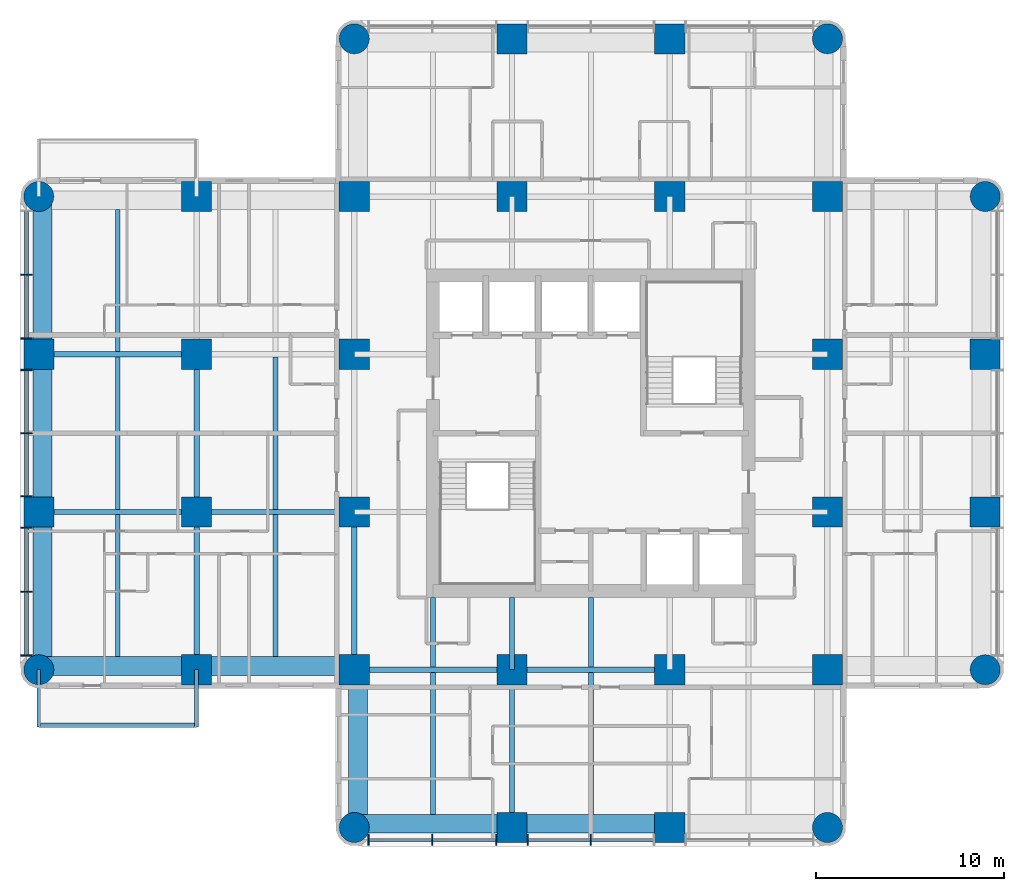
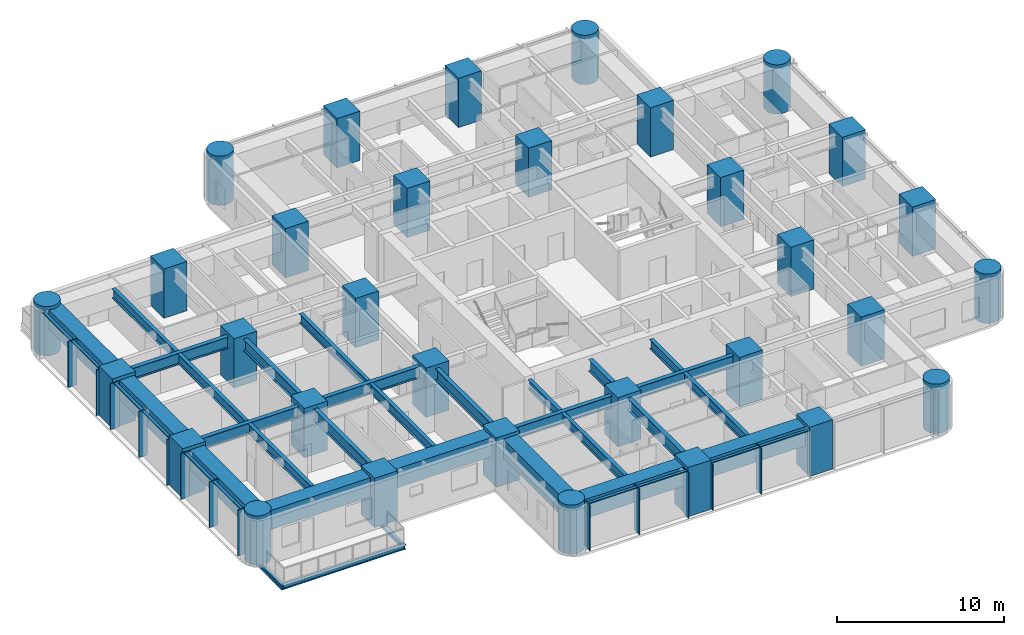
# One storey, part 1 of 11: 32 columns, 30 beams, 23 members, 2 elements without a shape of their own.
"""IFC4 building model written with IfcOpenShell, lengths in metres."""

from ifc_helpers import new_model, si_unit, direction, frame, origin, origin_2d, place, context, subcontext, project, spatial, rectangle, circle, i_section, extrude, material, material_profile, profile_set, type_object, element, aggregate, save


model = new_model("IFC4")

# Units and contexts
model_context = context("Model", 3, precision=1e-05, world=origin(), true_north=direction((0.0, 1.0)))
body_context = subcontext(model_context, "Body", "Model", "MODEL_VIEW")
ifc_project = project(units=[si_unit("LENGTHUNIT", "METRE"), si_unit("AREAUNIT", "SQUARE_METRE"), si_unit("VOLUMEUNIT", "CUBIC_METRE"), si_unit("PLANEANGLEUNIT", "RADIAN"), si_unit("MASSUNIT", "GRAM", prefix="KILO")], contexts=[model_context])

# Site, building, storey
site_placement = place(None, origin())
site = spatial("IfcSite", under=ifc_project, at=site_placement, CompositionType="ELEMENT")
building_placement = place(site_placement, origin())
building = spatial("IfcBuilding", under=site, at=building_placement, Name="Torre Alcanfor", CompositionType="ELEMENT")
storey_placement = place(building_placement, frame((0.0, 0.0, 244.5)))
storey = spatial("IfcBuildingStorey", under=building, at=storey_placement, Name="L64", CompositionType="ELEMENT", Elevation=244.5)

# Columns
ifc_material_1 = material(Name="Concrete f'c 70 MPa", Category="concrete")
ifc_material_profile_1 = material_profile(ifc_material_1, rectangle(XDim=1.60009765625, YDim=1.60009765625, at=origin_2d()), Name="1600x1600")
ifc_profile_set_1 = profile_set([ifc_material_profile_1], Name="Concrete f'c 70 MPa")
column_type_1 = type_object("IfcColumnType", Name="RC column 1600x1600 f'c70", PredefinedType="COLUMN", material=ifc_profile_set_1)
for number, where, z_axis, x_axis, name in (
    (1, (0.0, 25.199951171875, 0.0), (0.0, 0.0, 1.0), (1.0, 0.0, 0.0), "Column 1/F L64"),
    (2, (0.0, 33.60009765625, 0.0), (0.0, 0.0, 1.0), (1.0, 0.0, 0.0), "Column 1/G L64"),
    (3, (8.39990234375, 16.800048828125, 0.0), (0.0, 0.0, 1.0), (1.0, 0.0, 0.0), "Column 2/E L64"),
    (4, (8.39990234375, 25.199951171875, 0.0), (0.0, 0.0, 1.0), (1.0, 0.0, 0.0), "Column 2/F L64"),
    (5, (8.39990234375, 33.60009765625, 0.0), (0.0, 0.0, 1.0), (1.0, 0.0, 0.0), "Column 2/G L64"),
    (6, (8.39990234375, 42.0, 0.0), (0.0, 0.0, 1.0), (1.0, 0.0, 0.0), "Column 2/H L64"),
    (7, (16.800048828125, 16.800048828125, 0.0), (0.0, 0.0, 1.0), (1.0, 0.0, 0.0), "Column 3/E L64"),
    (8, (16.800048828125, 25.199951171875, 0.0), (0.0, 0.0, 1.0), (1.0, 0.0, 0.0), "Column 3/F L64"),
    (9, (16.800048828125, 33.60009765625, 0.0), (0.0, 0.0, 1.0), (1.0, 0.0, 0.0), "Column 3/G L64"),
    (10, (16.800048828125, 42.0, 0.0), (0.0, 0.0, 1.0), (1.0, 0.0, 0.0), "Column 3/H L64"),
    (11, (25.199951171875, 8.39990234375, 0.0), (0.0, 0.0, 1.0), (1.0, 0.0, 0.0), "Column 4/D L64"),
    (12, (25.199951171875, 16.800048828125, 0.0), (0.0, 0.0, 1.0), (1.0, 0.0, 0.0), "Column 4/E L64"),
    (13, (25.199951171875, 42.0, 0.0), (0.0, 0.0, 1.0), (1.0, 0.0, 0.0), "Column 4/H L64"),
    (14, (25.199951171875, 50.39990234375, 0.0), (0.0, 0.0, 1.0), (1.0, 0.0, 0.0), "Column 4/J L64"),
    (15, (33.60009765625, 8.39990234375, 0.0), (0.0, 0.0, 1.0), (1.0, 0.0, 0.0), "Column 5/D L64"),
    (16, (33.60009765625, 16.800048828125, 0.0), (0.0, 0.0, 1.0), (1.0, 0.0, 0.0), "Column 5/E L64"),
    (17, (33.60009765625, 42.0, 0.0), (0.0, 0.0, 1.0), (1.0, 0.0, 0.0), "Column 5/H L64"),
    (18, (33.60009765625, 50.39990234375, 0.0), (0.0, 0.0, 1.0), (1.0, 0.0, 0.0), "Column 5/J L64"),
    (19, (42.0, 16.800048828125, 0.0), (0.0, 0.0, 1.0), (1.0, 0.0, 0.0), "Column 6/E L64"),
    (20, (42.0, 25.199951171875, 0.0), (0.0, 0.0, 1.0), (1.0, 0.0, 0.0), "Column 6/F L64"),
    (21, (42.0, 33.60009765625, 0.0), (0.0, 0.0, 1.0), (1.0, 0.0, 0.0), "Column 6/G L64"),
    (22, (42.0, 42.0, 0.0), (0.0, 0.0, 1.0), (1.0, 0.0, 0.0), "Column 6/H L64"),
    (23, (50.39990234375, 25.199951171875, 0.0), (0.0, 0.0, 1.0), (1.0, 0.0, 0.0), "Column 7/F L64"),
    (24, (50.39990234375, 33.60009765625, 0.0), (0.0, 0.0, 1.0), (1.0, 0.0, 0.0), "Column 7/G L64"),
):
    element("IfcColumn", number, at=place(storey_placement, frame(where, z_axis=z_axis, x_axis=x_axis)), inside=storey, type_object=column_type_1, Name=name, PredefinedType="COLUMN", context=body_context, shape_type="SweptSolid", body=[
        extrude(rectangle(XDim=1.60009765625, YDim=1.60009765625, at=origin_2d()), origin(), (0.0, 0.0, 1.0), 3.60009765625),
    ])
ifc_material_2 = material(Name="Concrete f'c 70 MPa", Category="concrete")
ifc_material_profile_2 = material_profile(ifc_material_2, circle(Radius=0.800048828125, at=origin_2d()), Name="D1600")
ifc_profile_set_2 = profile_set([ifc_material_profile_2], Name="Concrete f'c 70 MPa")
column_type_2 = type_object("IfcColumnType", Name="RC column D1600 f'c70", PredefinedType="COLUMN", material=ifc_profile_set_2)
for number, where, z_axis, x_axis, name in (
    (25, (0.0, 16.800048828125, 0.0), (0.0, 0.0, 1.0), (1.0, 0.0, 0.0), "Column 1/E L64"),
    (26, (0.0, 42.0, 0.0), (0.0, 0.0, 1.0), (1.0, 0.0, 0.0), "Column 1/H L64"),
    (27, (16.800048828125, 8.39990234375, 0.0), (0.0, 0.0, 1.0), (1.0, 0.0, 0.0), "Column 3/D L64"),
    (28, (16.800048828125, 50.39990234375, 0.0), (0.0, 0.0, 1.0), (1.0, 0.0, 0.0), "Column 3/J L64"),
    (29, (42.0, 8.39990234375, 0.0), (0.0, 0.0, 1.0), (1.0, 0.0, 0.0), "Column 6/D L64"),
    (30, (42.0, 50.39990234375, 0.0), (0.0, 0.0, 1.0), (1.0, 0.0, 0.0), "Column 6/J L64"),
    (31, (50.39990234375, 16.800048828125, 0.0), (0.0, 0.0, 1.0), (1.0, 0.0, 0.0), "Column 7/E L64"),
    (32, (50.39990234375, 42.0, 0.0), (0.0, 0.0, 1.0), (1.0, 0.0, 0.0), "Column 7/H L64"),
):
    element("IfcColumn", number, at=place(storey_placement, frame(where, z_axis=z_axis, x_axis=x_axis)), inside=storey, type_object=column_type_2, Name=name, PredefinedType="COLUMN", context=body_context, shape_type="SweptSolid", body=[
        extrude(circle(Radius=0.800048828125, at=origin_2d()), origin(), (0.0, 0.0, 1.0), 3.60009765625),
    ])

# Beams
ifc_material_3 = material(Name="Steel ASTM A992 Grade 50", Category="steel")
ifc_material_profile_3 = material_profile(ifc_material_3, i_section(OverallWidth=0.205322265625, OverallDepth=0.309814453125, WebThickness=0.00927734375, FlangeThickness=0.016357421875, at=origin_2d()), Name="W12x50")
ifc_profile_set_3 = profile_set([ifc_material_profile_3], Name="Steel ASTM A992 Grade 50")
beam_type_1 = type_object("IfcBeamType", Name="Balcony cantilever beam W12x50", PredefinedType="BEAM", material=ifc_profile_set_3)
for number, where, z_axis, x_axis, name in (
    (33, (8.39990234375, 16.800048828125, -0.35498046875), (0.0, -1.0, 0.0), (1.0, 0.0, 0.0), "Balcony cantilever beam L64-W1 1"),
    (34, (0.0, 16.800048828125, -0.35498046875), (0.0, -1.0, 0.0), (1.0, 0.0, 0.0), "Balcony cantilever beam L64-W1 2"),
):
    element("IfcBeam", number, at=place(storey_placement, frame(where, z_axis=z_axis, x_axis=x_axis)), inside=storey, type_object=beam_type_1, Name=name, PredefinedType="BEAM", context=body_context, shape_type="SweptSolid", body=[
        extrude(i_section(OverallWidth=0.205322265625, OverallDepth=0.309814453125, WebThickness=0.00927734375, FlangeThickness=0.016357421875, at=origin_2d()), origin(), (0.0, 0.0, 1.0), 3.050048828125),
    ])
ifc_material_4 = material(Name="Steel ASTM A992 Grade 50", Category="steel")
ifc_material_profile_4 = material_profile(ifc_material_4, i_section(OverallWidth=0.203369140625, OverallDepth=0.30224609375, WebThickness=0.007568359375, FlangeThickness=0.01318359375, at=origin_2d()), Name="W12x40")
ifc_profile_set_4 = profile_set([ifc_material_profile_4], Name="Steel ASTM A992 Grade 50")
beam_type_2 = type_object("IfcBeamType", Name="Balcony edge trimmer W12x40", PredefinedType="BEAM", material=ifc_profile_set_4)
beam_1_placement = place(storey_placement, frame((8.39990234375, 13.851806640625, -0.35107421875), z_axis=(-1.0, 0.0, 0.0), x_axis=(0.0, -1.0, 0.0)))
element("IfcBeam", 35, at=beam_1_placement, inside=storey, type_object=beam_type_2, Name="Balcony edge trimmer L64-W1", PredefinedType="BEAM", context=body_context, shape_type="SweptSolid", body=[
    extrude(i_section(OverallWidth=0.203369140625, OverallDepth=0.30224609375, WebThickness=0.007568359375, FlangeThickness=0.01318359375, at=origin_2d()), origin(), (0.0, 0.0, 1.0), 8.39990234375),
])

# Curtain wall, members
ifc_material_5 = material(Name="Aluminium and glass", Category="aluminium")
curtain_wall_type = type_object("IfcCurtainWallType", Name="CW-A unitised apartment glazing with vertical FIN", PredefinedType="NOTDEFINED", material=ifc_material_5)
curtain_wall_1_placement = place(storey_placement, origin())
curtain_wall_1 = element("IfcCurtainWall", 36, at=curtain_wall_1_placement, inside=storey, type_object=curtain_wall_type, Name="Curtain wall CW-A L64 2", PredefinedType="NOTDEFINED")
ifc_material_6 = material(Name="Bronze anodised aluminium", Category="aluminium")
ifc_material_profile_5 = material_profile(ifc_material_6, rectangle(XDim=0.60009765625, YDim=0.06494140625, at=origin_2d()), Name="CW-A mullion 65x600")
ifc_profile_set_5 = profile_set([ifc_material_profile_5], Name="Bronze anodised aluminium")
member_type_1 = type_object("IfcMemberType", Name="CW-A mullion with vertical FIN 65x600", PredefinedType="MULLION", material=ifc_profile_set_5)
member_1_placement = place(storey_placement, frame((-0.64990234375, 37.840087890625, 0.0), z_axis=(0.0, 0.0, 1.0), x_axis=(1.0, 0.0, 0.0)))
member_1 = element("IfcMember", 37, at=member_1_placement, type_object=member_type_1, Name="CW-A mullion 1.2", PredefinedType="MULLION", context=body_context, shape_type="SweptSolid", body=[
    extrude(rectangle(XDim=0.60009765625, YDim=0.06494140625, at=origin_2d()), origin(), (0.0, 0.0, 1.0), 3.35009765625),
])
member_2_placement = place(storey_placement, frame((-0.64990234375, 34.4375, 0.0), z_axis=(0.0, 0.0, 1.0), x_axis=(1.0, 0.0, 0.0)))
member_2 = element("IfcMember", 38, at=member_2_placement, type_object=member_type_1, Name="CW-A mullion 1.3", PredefinedType="MULLION", context=body_context, shape_type="SweptSolid", body=[
    extrude(rectangle(XDim=0.60009765625, YDim=0.06494140625, at=origin_2d()), origin(), (0.0, 0.0, 1.0), 3.35009765625),
])
member_3_placement = place(storey_placement, frame((-0.64990234375, 32.762451171875, 0.0), z_axis=(0.0, 0.0, 1.0), x_axis=(1.0, 0.0, 0.0)))
member_3 = element("IfcMember", 39, at=member_3_placement, type_object=member_type_1, Name="CW-A mullion 2.1", PredefinedType="MULLION", context=body_context, shape_type="SweptSolid", body=[
    extrude(rectangle(XDim=0.60009765625, YDim=0.06494140625, at=origin_2d()), origin(), (0.0, 0.0, 1.0), 3.35009765625),
])
member_4_placement = place(storey_placement, frame((-0.64990234375, 29.39990234375, 0.0), z_axis=(0.0, 0.0, 1.0), x_axis=(1.0, 0.0, 0.0)))
member_4 = element("IfcMember", 40, at=member_4_placement, type_object=member_type_1, Name="CW-A mullion 2.2", PredefinedType="MULLION", context=body_context, shape_type="SweptSolid", body=[
    extrude(rectangle(XDim=0.60009765625, YDim=0.06494140625, at=origin_2d()), origin(), (0.0, 0.0, 1.0), 3.35009765625),
])
member_5_placement = place(storey_placement, frame((-0.64990234375, 26.03759765625, 0.0), z_axis=(0.0, 0.0, 1.0), x_axis=(1.0, 0.0, 0.0)))
member_5 = element("IfcMember", 41, at=member_5_placement, type_object=member_type_1, Name="CW-A mullion 2.3", PredefinedType="MULLION", context=body_context, shape_type="SweptSolid", body=[
    extrude(rectangle(XDim=0.60009765625, YDim=0.06494140625, at=origin_2d()), origin(), (0.0, 0.0, 1.0), 3.35009765625),
])
member_6_placement = place(storey_placement, frame((-0.64990234375, 24.362548828125, 0.0), z_axis=(0.0, 0.0, 1.0), x_axis=(1.0, 0.0, 0.0)))
member_6 = element("IfcMember", 42, at=member_6_placement, type_object=member_type_1, Name="CW-A mullion 3.1", PredefinedType="MULLION", context=body_context, shape_type="SweptSolid", body=[
    extrude(rectangle(XDim=0.60009765625, YDim=0.06494140625, at=origin_2d()), origin(), (0.0, 0.0, 1.0), 3.35009765625),
])
member_7_placement = place(storey_placement, frame((-0.64990234375, 20.9599609375, 0.0), z_axis=(0.0, 0.0, 1.0), x_axis=(1.0, 0.0, 0.0)))
member_7 = element("IfcMember", 43, at=member_7_placement, type_object=member_type_1, Name="CW-A mullion 3.2", PredefinedType="MULLION", context=body_context, shape_type="SweptSolid", body=[
    extrude(rectangle(XDim=0.60009765625, YDim=0.06494140625, at=origin_2d()), origin(), (0.0, 0.0, 1.0), 3.35009765625),
])
member_8_placement = place(storey_placement, frame((-0.64990234375, 17.557373046875, 0.0), z_axis=(0.0, 0.0, 1.0), x_axis=(1.0, 0.0, 0.0)))
member_8 = element("IfcMember", 44, at=member_8_placement, type_object=member_type_1, Name="CW-A mullion 3.3", PredefinedType="MULLION", context=body_context, shape_type="SweptSolid", body=[
    extrude(rectangle(XDim=0.60009765625, YDim=0.06494140625, at=origin_2d()), origin(), (0.0, 0.0, 1.0), 3.35009765625),
])

curtain_wall_2_placement = place(storey_placement, origin())
curtain_wall_2 = element("IfcCurtainWall", 45, at=curtain_wall_2_placement, inside=storey, type_object=curtain_wall_type, Name="Curtain wall CW-A L64 5", PredefinedType="NOTDEFINED")
member_9_placement = place(storey_placement, frame((17.557373046875, 7.75, 0.0), z_axis=(0.0, 0.0, 1.0), x_axis=(0.0, 1.0, 0.0)))
member_9 = element("IfcMember", 46, at=member_9_placement, type_object=member_type_1, Name="CW-A mullion 1.1", PredefinedType="MULLION", context=body_context, shape_type="SweptSolid", body=[
    extrude(rectangle(XDim=0.60009765625, YDim=0.06494140625, at=origin_2d()), origin(), (0.0, 0.0, 1.0), 3.35009765625),
])
member_10_placement = place(storey_placement, frame((20.9599609375, 7.75, 0.0), z_axis=(0.0, 0.0, 1.0), x_axis=(0.0, 1.0, 0.0)))
member_10 = element("IfcMember", 47, at=member_10_placement, type_object=member_type_1, Name="CW-A mullion 1.2", PredefinedType="MULLION", context=body_context, shape_type="SweptSolid", body=[
    extrude(rectangle(XDim=0.60009765625, YDim=0.06494140625, at=origin_2d()), origin(), (0.0, 0.0, 1.0), 3.35009765625),
])
member_11_placement = place(storey_placement, frame((24.362548828125, 7.75, 0.0), z_axis=(0.0, 0.0, 1.0), x_axis=(0.0, 1.0, 0.0)))
member_11 = element("IfcMember", 48, at=member_11_placement, type_object=member_type_1, Name="CW-A mullion 1.3", PredefinedType="MULLION", context=body_context, shape_type="SweptSolid", body=[
    extrude(rectangle(XDim=0.60009765625, YDim=0.06494140625, at=origin_2d()), origin(), (0.0, 0.0, 1.0), 3.35009765625),
])
member_12_placement = place(storey_placement, frame((26.03759765625, 7.75, 0.0), z_axis=(0.0, 0.0, 1.0), x_axis=(0.0, 1.0, 0.0)))
member_12 = element("IfcMember", 49, at=member_12_placement, type_object=member_type_1, Name="CW-A mullion 2.1", PredefinedType="MULLION", context=body_context, shape_type="SweptSolid", body=[
    extrude(rectangle(XDim=0.60009765625, YDim=0.06494140625, at=origin_2d()), origin(), (0.0, 0.0, 1.0), 3.35009765625),
])
member_13_placement = place(storey_placement, frame((29.39990234375, 7.75, 0.0), z_axis=(0.0, 0.0, 1.0), x_axis=(0.0, 1.0, 0.0)))
member_13 = element("IfcMember", 50, at=member_13_placement, type_object=member_type_1, Name="CW-A mullion 2.2", PredefinedType="MULLION", context=body_context, shape_type="SweptSolid", body=[
    extrude(rectangle(XDim=0.60009765625, YDim=0.06494140625, at=origin_2d()), origin(), (0.0, 0.0, 1.0), 3.35009765625),
])

# Member
ifc_material_7 = material(Name="Extruded aluminium", Category="aluminium")
ifc_material_profile_6 = material_profile(ifc_material_7, rectangle(XDim=0.199951171875, YDim=0.06494140625, at=origin_2d()), Name="CW-A transom 200x65")
ifc_profile_set_6 = profile_set([ifc_material_profile_6], Name="Extruded aluminium")
member_type_2 = type_object("IfcMemberType", Name="CW-A transom 65x200", PredefinedType="USERDEFINED", material=ifc_profile_set_6)
member_14_placement = place(storey_placement, frame((-0.64990234375, 41.210205078125, 3.3173828125), z_axis=(0.0, -1.0, 0.0), x_axis=(1.0, 0.0, 0.0)))
member_14 = element("IfcMember", 51, at=member_14_placement, type_object=member_type_2, Name="CW-A transom 1.1.2", ObjectType="TRANSOM", PredefinedType="USERDEFINED", context=body_context, shape_type="SweptSolid", body=[
    extrude(rectangle(XDim=0.199951171875, YDim=0.06494140625, at=origin_2d()), origin(), (0.0, 0.0, 1.0), 3.337646484375),
])

member_15_placement = place(storey_placement, frame((-0.64990234375, 37.8076171875, 3.3173828125), z_axis=(0.0, -1.0, 0.0), x_axis=(1.0, 0.0, 0.0)))
member_15 = element("IfcMember", 52, at=member_15_placement, type_object=member_type_2, Name="CW-A transom 1.2.2", ObjectType="TRANSOM", PredefinedType="USERDEFINED", context=body_context, shape_type="SweptSolid", body=[
    extrude(rectangle(XDim=0.199951171875, YDim=0.06494140625, at=origin_2d()), origin(), (0.0, 0.0, 1.0), 3.337646484375),
])

member_16_placement = place(storey_placement, frame((-0.64990234375, 32.72998046875, 3.3173828125), z_axis=(0.0, -1.0, 0.0), x_axis=(1.0, 0.0, 0.0)))
member_16 = element("IfcMember", 53, at=member_16_placement, type_object=member_type_2, Name="CW-A transom 2.1.2", ObjectType="TRANSOM", PredefinedType="USERDEFINED", context=body_context, shape_type="SweptSolid", body=[
    extrude(rectangle(XDim=0.199951171875, YDim=0.06494140625, at=origin_2d()), origin(), (0.0, 0.0, 1.0), 3.29736328125),
])

member_17_placement = place(storey_placement, frame((-0.64990234375, 29.367431640625, 3.3173828125), z_axis=(0.0, -1.0, 0.0), x_axis=(1.0, 0.0, 0.0)))
member_17 = element("IfcMember", 54, at=member_17_placement, type_object=member_type_2, Name="CW-A transom 2.2.2", ObjectType="TRANSOM", PredefinedType="USERDEFINED", context=body_context, shape_type="SweptSolid", body=[
    extrude(rectangle(XDim=0.199951171875, YDim=0.06494140625, at=origin_2d()), origin(), (0.0, 0.0, 1.0), 3.29736328125),
])

member_18_placement = place(storey_placement, frame((-0.64990234375, 24.330078125, 3.3173828125), z_axis=(0.0, -1.0, 0.0), x_axis=(1.0, 0.0, 0.0)))
member_18 = element("IfcMember", 55, at=member_18_placement, type_object=member_type_2, Name="CW-A transom 3.1.2", ObjectType="TRANSOM", PredefinedType="USERDEFINED", context=body_context, shape_type="SweptSolid", body=[
    extrude(rectangle(XDim=0.199951171875, YDim=0.06494140625, at=origin_2d()), origin(), (0.0, 0.0, 1.0), 3.337646484375),
])

member_19_placement = place(storey_placement, frame((-0.64990234375, 20.927490234375, 3.3173828125), z_axis=(0.0, -1.0, 0.0), x_axis=(1.0, 0.0, 0.0)))
member_19 = element("IfcMember", 56, at=member_19_placement, type_object=member_type_2, Name="CW-A transom 3.2.2", ObjectType="TRANSOM", PredefinedType="USERDEFINED", context=body_context, shape_type="SweptSolid", body=[
    extrude(rectangle(XDim=0.199951171875, YDim=0.06494140625, at=origin_2d()), origin(), (0.0, 0.0, 1.0), 3.337646484375),
])

aggregate(curtain_wall_1, [member_1, member_2, member_14, member_15, member_3, member_4, member_5, member_16, member_17, member_6, member_7, member_8, member_18, member_19])

member_20_placement = place(storey_placement, frame((17.58984375, 7.75, 3.3173828125), z_axis=(1.0, 0.0, 0.0), x_axis=(0.0, 1.0, 0.0)))
member_20 = element("IfcMember", 57, at=member_20_placement, type_object=member_type_2, Name="CW-A transom 1.1.2", ObjectType="TRANSOM", PredefinedType="USERDEFINED", context=body_context, shape_type="SweptSolid", body=[
    extrude(rectangle(XDim=0.199951171875, YDim=0.06494140625, at=origin_2d()), origin(), (0.0, 0.0, 1.0), 3.337646484375),
])

member_21_placement = place(storey_placement, frame((20.992431640625, 7.75, 3.3173828125), z_axis=(1.0, 0.0, 0.0), x_axis=(0.0, 1.0, 0.0)))
member_21 = element("IfcMember", 58, at=member_21_placement, type_object=member_type_2, Name="CW-A transom 1.2.2", ObjectType="TRANSOM", PredefinedType="USERDEFINED", context=body_context, shape_type="SweptSolid", body=[
    extrude(rectangle(XDim=0.199951171875, YDim=0.06494140625, at=origin_2d()), origin(), (0.0, 0.0, 1.0), 3.337646484375),
])

member_22_placement = place(storey_placement, frame((26.070068359375, 7.75, 3.3173828125), z_axis=(1.0, 0.0, 0.0), x_axis=(0.0, 1.0, 0.0)))
member_22 = element("IfcMember", 59, at=member_22_placement, type_object=member_type_2, Name="CW-A transom 2.1.2", ObjectType="TRANSOM", PredefinedType="USERDEFINED", context=body_context, shape_type="SweptSolid", body=[
    extrude(rectangle(XDim=0.199951171875, YDim=0.06494140625, at=origin_2d()), origin(), (0.0, 0.0, 1.0), 3.29736328125),
])

member_23_placement = place(storey_placement, frame((29.4326171875, 7.75, 3.3173828125), z_axis=(1.0, 0.0, 0.0), x_axis=(0.0, 1.0, 0.0)))
member_23 = element("IfcMember", 60, at=member_23_placement, type_object=member_type_2, Name="CW-A transom 2.2.2", ObjectType="TRANSOM", PredefinedType="USERDEFINED", context=body_context, shape_type="SweptSolid", body=[
    extrude(rectangle(XDim=0.199951171875, YDim=0.06494140625, at=origin_2d()), origin(), (0.0, 0.0, 1.0), 3.29736328125),
])

aggregate(curtain_wall_2, [member_9, member_10, member_11, member_20, member_21, member_12, member_13, member_22, member_23])

# Beams
ifc_material_8 = material(Name="Steel ASTM A992 Grade 50", Category="steel")
ifc_material_profile_7 = material_profile(ifc_material_8, i_section(OverallWidth=0.2919921875, OverallDepth=0.8408203125, WebThickness=0.0146484375, FlangeThickness=0.021728515625, at=origin_2d()), Name="W33x130")
ifc_profile_set_7 = profile_set([ifc_material_profile_7], Name="Steel ASTM A992 Grade 50")
beam_type_3 = type_object("IfcBeamType", Name="Girder W33x130", PredefinedType="BEAM", material=ifc_profile_set_7)
beam_2_placement = place(storey_placement, frame((16.800048828125, 16.800048828125, 2.9296875), z_axis=(1.0, 0.0, 0.0), x_axis=(0.0, 1.0, 0.0)))
element("IfcBeam", 61, at=beam_2_placement, inside=storey, type_object=beam_type_3, Name="Beam 3E-4E under L65", PredefinedType="BEAM", context=body_context, shape_type="SweptSolid", body=[
    extrude(i_section(OverallWidth=0.2919921875, OverallDepth=0.8408203125, WebThickness=0.0146484375, FlangeThickness=0.021728515625, at=origin_2d()), origin(), (0.0, 0.0, 1.0), 8.39990234375),
])
beam_3_placement = place(storey_placement, frame((25.199951171875, 16.800048828125, 2.9296875), z_axis=(1.0, 0.0, 0.0), x_axis=(0.0, 1.0, 0.0)))
element("IfcBeam", 62, at=beam_3_placement, inside=storey, type_object=beam_type_3, Name="Beam 4E-5E under L65", PredefinedType="BEAM", context=body_context, shape_type="SweptSolid", body=[
    extrude(i_section(OverallWidth=0.2919921875, OverallDepth=0.8408203125, WebThickness=0.0146484375, FlangeThickness=0.021728515625, at=origin_2d()), origin(), (0.0, 0.0, 1.0), 8.400146484375),
])
beam_4_placement = place(storey_placement, frame((0.0, 25.199951171875, 2.9296875), z_axis=(1.0, 0.0, 0.0), x_axis=(0.0, 1.0, 0.0)))
element("IfcBeam", 63, at=beam_4_placement, inside=storey, type_object=beam_type_3, Name="Beam 1F-2F under L65", PredefinedType="BEAM", context=body_context, shape_type="SweptSolid", body=[
    extrude(i_section(OverallWidth=0.2919921875, OverallDepth=0.8408203125, WebThickness=0.0146484375, FlangeThickness=0.021728515625, at=origin_2d()), origin(), (0.0, 0.0, 1.0), 8.39990234375),
])
beam_5_placement = place(storey_placement, frame((8.39990234375, 25.199951171875, 2.9296875), z_axis=(1.0, 0.0, 0.0), x_axis=(0.0, 1.0, 0.0)))
element("IfcBeam", 64, at=beam_5_placement, inside=storey, type_object=beam_type_3, Name="Beam 2F-3F under L65", PredefinedType="BEAM", context=body_context, shape_type="SweptSolid", body=[
    extrude(i_section(OverallWidth=0.2919921875, OverallDepth=0.8408203125, WebThickness=0.0146484375, FlangeThickness=0.021728515625, at=origin_2d()), origin(), (0.0, 0.0, 1.0), 8.400146484375),
])
for number, where, z_axis, x_axis, name in (
    (65, (0.0, 33.60009765625, 2.9296875), (1.0, 0.0, 0.0), (0.0, 1.0, 0.0), "Beam 1G-2G under L65"),
    (66, (8.39990234375, 16.800048828125, 2.9296875), (0.0, 1.0, 0.0), (-1.0, 0.0, 0.0), "Beam 2E-2F under L65"),
):
    element("IfcBeam", number, at=place(storey_placement, frame(where, z_axis=z_axis, x_axis=x_axis)), inside=storey, type_object=beam_type_3, Name=name, PredefinedType="BEAM", context=body_context, shape_type="SweptSolid", body=[
        extrude(i_section(OverallWidth=0.2919921875, OverallDepth=0.8408203125, WebThickness=0.0146484375, FlangeThickness=0.021728515625, at=origin_2d()), origin(), (0.0, 0.0, 1.0), 8.39990234375),
    ])
beam_6_placement = place(storey_placement, frame((8.39990234375, 25.199951171875, 2.9296875), z_axis=(0.0, 1.0, 0.0), x_axis=(-1.0, 0.0, 0.0)))
element("IfcBeam", 67, at=beam_6_placement, inside=storey, type_object=beam_type_3, Name="Beam 2F-2G under L65", PredefinedType="BEAM", context=body_context, shape_type="SweptSolid", body=[
    extrude(i_section(OverallWidth=0.2919921875, OverallDepth=0.8408203125, WebThickness=0.0146484375, FlangeThickness=0.021728515625, at=origin_2d()), origin(), (0.0, 0.0, 1.0), 8.400146484375),
])
beam_7_placement = place(storey_placement, frame((16.800048828125, 16.800048828125, 2.9296875), z_axis=(0.0, 1.0, 0.0), x_axis=(-1.0, 0.0, 0.0)))
element("IfcBeam", 68, at=beam_7_placement, inside=storey, type_object=beam_type_3, Name="Beam 3E-3F under L65", PredefinedType="BEAM", context=body_context, shape_type="SweptSolid", body=[
    extrude(i_section(OverallWidth=0.2919921875, OverallDepth=0.8408203125, WebThickness=0.0146484375, FlangeThickness=0.021728515625, at=origin_2d()), origin(), (0.0, 0.0, 1.0), 8.39990234375),
])
beam_8_placement = place(storey_placement, frame((25.199951171875, 8.39990234375, 2.9296875), z_axis=(0.0, 1.0, 0.0), x_axis=(-1.0, 0.0, 0.0)))
element("IfcBeam", 69, at=beam_8_placement, inside=storey, type_object=beam_type_3, Name="Beam 4D-4E under L65", PredefinedType="BEAM", context=body_context, shape_type="SweptSolid", body=[
    extrude(i_section(OverallWidth=0.2919921875, OverallDepth=0.8408203125, WebThickness=0.0146484375, FlangeThickness=0.021728515625, at=origin_2d()), origin(), (0.0, 0.0, 1.0), 8.400146484375),
])
ifc_material_9 = material(Name="Steel ASTM A992 Grade 50", Category="steel")
ifc_material_profile_8 = material_profile(ifc_material_9, i_section(OverallWidth=0.2919921875, OverallDepth=0.8408203125, WebThickness=0.0146484375, FlangeThickness=0.021728515625, at=origin_2d()), Name="W33x130")
ifc_profile_set_8 = profile_set([ifc_material_profile_8], Name="Steel ASTM A992 Grade 50")
beam_type_4 = type_object("IfcBeamType", Name="Girder, part bay W33x130", PredefinedType="BEAM", material=ifc_profile_set_8)
beam_9_placement = place(storey_placement, frame((25.199951171875, 16.800048828125, 2.9296875), z_axis=(0.0, 1.0, 0.0), x_axis=(-1.0, 0.0, 0.0)))
element("IfcBeam", 70, at=beam_9_placement, inside=storey, type_object=beam_type_4, Name="Beam 4E-420_65 under L65", PredefinedType="BEAM", context=body_context, shape_type="SweptSolid", body=[
    extrude(i_section(OverallWidth=0.2919921875, OverallDepth=0.8408203125, WebThickness=0.0146484375, FlangeThickness=0.021728515625, at=origin_2d()), origin(), (0.0, 0.0, 1.0), 3.849853515625),
])
ifc_material_10 = material(Name="Concrete f'c 70 MPa", Category="concrete")
ifc_material_profile_9 = material_profile(ifc_material_10, rectangle(XDim=1.0, YDim=1.39990234375, at=origin_2d()), Name="1000x1400")
ifc_profile_set_9 = profile_set([ifc_material_profile_9], Name="Concrete f'c 70 MPa")
beam_type_5 = type_object("IfcBeamType", Name="RC perimeter beam 1000x1400", PredefinedType="BEAM", material=ifc_profile_set_9)
beam_10_placement = place(storey_placement, frame((16.800048828125, 8.60009765625, 2.64990234375), z_axis=(1.0, 0.0, 0.0), x_axis=(0.0, 1.0, 0.0)))
element("IfcBeam", 71, at=beam_10_placement, inside=storey, type_object=beam_type_5, Name="Beam 3D-4D under L65", PredefinedType="BEAM", context=body_context, shape_type="SweptSolid", body=[
    extrude(rectangle(XDim=1.0, YDim=1.39990234375, at=origin_2d()), origin(), (0.0, 0.0, 1.0), 8.25390625),
])
beam_11_placement = place(storey_placement, frame((25.345947265625, 8.60009765625, 2.64990234375), z_axis=(1.0, 0.0, 0.0), x_axis=(0.0, 1.0, 0.0)))
element("IfcBeam", 72, at=beam_11_placement, inside=storey, type_object=beam_type_5, Name="Beam 4D-5D under L65", PredefinedType="BEAM", context=body_context, shape_type="SweptSolid", body=[
    extrude(rectangle(XDim=1.0, YDim=1.39990234375, at=origin_2d()), origin(), (0.0, 0.0, 1.0), 8.108154296875),
])
beam_12_placement = place(storey_placement, frame((0.0, 17.0, 2.64990234375), z_axis=(1.0, 0.0, 0.0), x_axis=(0.0, 1.0, 0.0)))
element("IfcBeam", 73, at=beam_12_placement, inside=storey, type_object=beam_type_5, Name="Beam 1E-2E under L65", PredefinedType="BEAM", context=body_context, shape_type="SweptSolid", body=[
    extrude(rectangle(XDim=1.0, YDim=1.39990234375, at=origin_2d()), origin(), (0.0, 0.0, 1.0), 8.25390625),
])
beam_13_placement = place(storey_placement, frame((8.5458984375, 17.0, 2.64990234375), z_axis=(1.0, 0.0, 0.0), x_axis=(0.0, 1.0, 0.0)))
element("IfcBeam", 74, at=beam_13_placement, inside=storey, type_object=beam_type_5, Name="Beam 2E-3E under L65", PredefinedType="BEAM", context=body_context, shape_type="SweptSolid", body=[
    extrude(rectangle(XDim=1.0, YDim=1.39990234375, at=origin_2d()), origin(), (0.0, 0.0, 1.0), 8.108154296875),
])
beam_14_placement = place(storey_placement, frame((0.199951171875, 16.800048828125, 2.64990234375), z_axis=(0.0, 1.0, 0.0), x_axis=(-1.0, 0.0, 0.0)))
element("IfcBeam", 75, at=beam_14_placement, inside=storey, type_object=beam_type_5, Name="Beam 1E-1F under L65", PredefinedType="BEAM", context=body_context, shape_type="SweptSolid", body=[
    extrude(rectangle(XDim=1.0, YDim=1.39990234375, at=origin_2d()), origin(), (0.0, 0.0, 1.0), 8.25390625),
])
beam_15_placement = place(storey_placement, frame((0.199951171875, 25.345947265625, 2.64990234375), z_axis=(0.0, 1.0, 0.0), x_axis=(-1.0, 0.0, 0.0)))
element("IfcBeam", 76, at=beam_15_placement, inside=storey, type_object=beam_type_5, Name="Beam 1F-1G under L65", PredefinedType="BEAM", context=body_context, shape_type="SweptSolid", body=[
    extrude(rectangle(XDim=1.0, YDim=1.39990234375, at=origin_2d()), origin(), (0.0, 0.0, 1.0), 8.108154296875),
])
beam_16_placement = place(storey_placement, frame((0.199951171875, 33.74609375, 2.64990234375), z_axis=(0.0, 1.0, 0.0), x_axis=(-1.0, 0.0, 0.0)))
element("IfcBeam", 77, at=beam_16_placement, inside=storey, type_object=beam_type_5, Name="Beam 1G-1H under L65", PredefinedType="BEAM", context=body_context, shape_type="SweptSolid", body=[
    extrude(rectangle(XDim=1.0, YDim=1.39990234375, at=origin_2d()), origin(), (0.0, 0.0, 1.0), 8.25390625),
])
beam_17_placement = place(storey_placement, frame((17.0, 8.39990234375, 2.64990234375), z_axis=(0.0, 1.0, 0.0), x_axis=(-1.0, 0.0, 0.0)))
element("IfcBeam", 78, at=beam_17_placement, inside=storey, type_object=beam_type_5, Name="Beam 3D-3E under L65", PredefinedType="BEAM", context=body_context, shape_type="SweptSolid", body=[
    extrude(rectangle(XDim=1.0, YDim=1.39990234375, at=origin_2d()), origin(), (0.0, 0.0, 1.0), 8.254150390625),
])
ifc_material_11 = material(Name="Steel ASTM A992 Grade 50", Category="steel")
ifc_material_profile_10 = material_profile(ifc_material_11, i_section(OverallWidth=0.25390625, OverallDepth=0.683349609375, WebThickness=0.012451171875, FlangeThickness=0.01904296875, at=origin_2d()), Name="W27x94")
ifc_profile_set_10 = profile_set([ifc_material_profile_10], Name="Steel ASTM A992 Grade 50")
beam_type_6 = type_object("IfcBeamType", Name="Secondary beam W27x94", PredefinedType="BEAM", material=ifc_profile_set_10)
beam_18_placement = place(storey_placement, frame((4.199951171875, 17.5, 3.00830078125), z_axis=(0.0, 1.0, 0.0), x_axis=(-1.0, 0.0, 0.0)))
element("IfcBeam", 79, at=beam_18_placement, inside=storey, type_object=beam_type_6, Name="Beam 4_2E-4_2F under L65", PredefinedType="BEAM", context=body_context, shape_type="SweptSolid", body=[
    extrude(i_section(OverallWidth=0.25390625, OverallDepth=0.683349609375, WebThickness=0.012451171875, FlangeThickness=0.01904296875, at=origin_2d()), origin(), (0.0, 0.0, 1.0), 7.553955078125),
])
beam_19_placement = place(storey_placement, frame((4.199951171875, 25.345947265625, 3.00830078125), z_axis=(0.0, 1.0, 0.0), x_axis=(-1.0, 0.0, 0.0)))
element("IfcBeam", 80, at=beam_19_placement, inside=storey, type_object=beam_type_6, Name="Beam 4_2F-4_2G under L65", PredefinedType="BEAM", context=body_context, shape_type="SweptSolid", body=[
    extrude(i_section(OverallWidth=0.25390625, OverallDepth=0.683349609375, WebThickness=0.012451171875, FlangeThickness=0.01904296875, at=origin_2d()), origin(), (0.0, 0.0, 1.0), 8.108154296875),
])
for number, where, z_axis, x_axis, name in (
    (81, (4.199951171875, 33.74609375, 3.00830078125), (0.0, 1.0, 0.0), (-1.0, 0.0, 0.0), "Beam 4_2G-4_2H under L65"),
    (82, (12.60009765625, 17.5, 3.00830078125), (0.0, 1.0, 0.0), (-1.0, 0.0, 0.0), "Beam 12_6E-12_6F under L65"),
):
    element("IfcBeam", number, at=place(storey_placement, frame(where, z_axis=z_axis, x_axis=x_axis)), inside=storey, type_object=beam_type_6, Name=name, PredefinedType="BEAM", context=body_context, shape_type="SweptSolid", body=[
        extrude(i_section(OverallWidth=0.25390625, OverallDepth=0.683349609375, WebThickness=0.012451171875, FlangeThickness=0.01904296875, at=origin_2d()), origin(), (0.0, 0.0, 1.0), 7.553955078125),
    ])
beam_20_placement = place(storey_placement, frame((12.60009765625, 25.345947265625, 3.00830078125), z_axis=(0.0, 1.0, 0.0), x_axis=(-1.0, 0.0, 0.0)))
element("IfcBeam", 83, at=beam_20_placement, inside=storey, type_object=beam_type_6, Name="Beam 12_6F-12_6G under L65", PredefinedType="BEAM", context=body_context, shape_type="SweptSolid", body=[
    extrude(i_section(OverallWidth=0.25390625, OverallDepth=0.683349609375, WebThickness=0.012451171875, FlangeThickness=0.01904296875, at=origin_2d()), origin(), (0.0, 0.0, 1.0), 8.108154296875),
])
for number, where, z_axis, x_axis, name in (
    (84, (21.0, 9.10009765625, 3.00830078125), (0.0, 1.0, 0.0), (-1.0, 0.0, 0.0), "Beam 21D-21E under L65"),
    (85, (29.39990234375, 9.10009765625, 3.00830078125), (0.0, 1.0, 0.0), (-1.0, 0.0, 0.0), "Beam 29_4D-29_4E under L65"),
):
    element("IfcBeam", number, at=place(storey_placement, frame(where, z_axis=z_axis, x_axis=x_axis)), inside=storey, type_object=beam_type_6, Name=name, PredefinedType="BEAM", context=body_context, shape_type="SweptSolid", body=[
        extrude(i_section(OverallWidth=0.25390625, OverallDepth=0.683349609375, WebThickness=0.012451171875, FlangeThickness=0.01904296875, at=origin_2d()), origin(), (0.0, 0.0, 1.0), 7.553955078125),
    ])
ifc_material_12 = material(Name="Steel ASTM A992 Grade 50", Category="steel")
ifc_material_profile_11 = material_profile(ifc_material_12, i_section(OverallWidth=0.25390625, OverallDepth=0.683349609375, WebThickness=0.012451171875, FlangeThickness=0.01904296875, at=origin_2d()), Name="W27x94")
ifc_profile_set_11 = profile_set([ifc_material_profile_11], Name="Steel ASTM A992 Grade 50")
beam_type_7 = type_object("IfcBeamType", Name="Secondary beam, part bay W27x94", PredefinedType="BEAM", material=ifc_profile_set_11)
for number, where, z_axis, x_axis, name in (
    (86, (21.0, 16.946044921875, 3.00830078125), (0.0, 1.0, 0.0), (-1.0, 0.0, 0.0), "Beam 21E-2120_65 under L65"),
    (87, (29.39990234375, 16.946044921875, 3.00830078125), (0.0, 1.0, 0.0), (-1.0, 0.0, 0.0), "Beam 29_4E-29_420_65 under L65"),
):
    element("IfcBeam", number, at=place(storey_placement, frame(where, z_axis=z_axis, x_axis=x_axis)), inside=storey, type_object=beam_type_7, Name=name, PredefinedType="BEAM", context=body_context, shape_type="SweptSolid", body=[
        extrude(i_section(OverallWidth=0.25390625, OverallDepth=0.683349609375, WebThickness=0.012451171875, FlangeThickness=0.01904296875, at=origin_2d()), origin(), (0.0, 0.0, 1.0), 3.703857421875),
    ])

save(model, "model.ifc")
